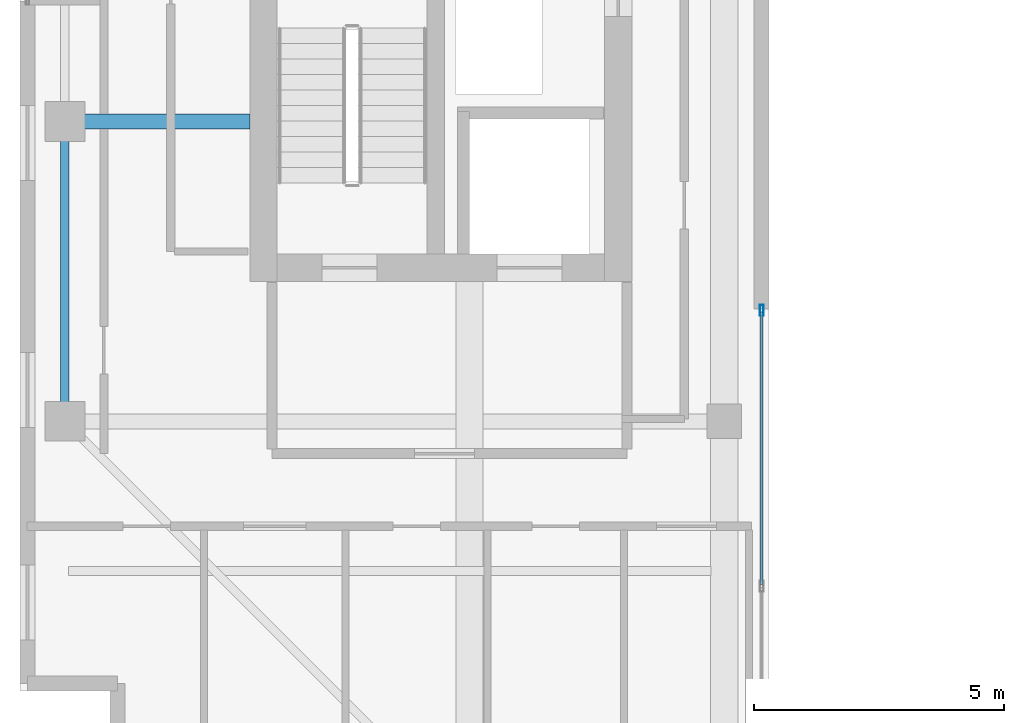
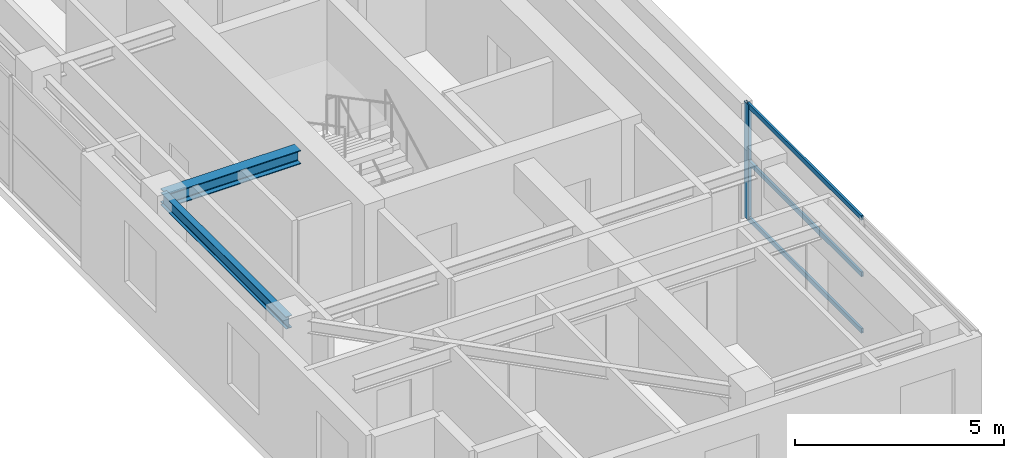
# One storey, part 3 of 22: 4 members, 2 beams, 1 element without a shape of its own.
"""IFC4 building model written with IfcOpenShell, lengths in metres."""

from ifc_helpers import new_model, si_unit, direction, frame, origin, origin_2d, place, context, subcontext, project, spatial, hollow_rectangle, i_section, extrude, source, transform, mapped, material, layer, layer_set, material_profile, profile_set, type_object, element, aggregate, save


model = new_model("IFC4")

# Units and contexts
model_context = context("Model", 3, precision=1e-05, world=origin(), true_north=direction((0.0, 1.0)))
body_context = subcontext(model_context, "Body", "Model", "MODEL_VIEW")
ifc_project = project(units=[si_unit("LENGTHUNIT", "METRE"), si_unit("AREAUNIT", "SQUARE_METRE"), si_unit("VOLUMEUNIT", "CUBIC_METRE"), si_unit("PLANEANGLEUNIT", "RADIAN"), si_unit("MASSUNIT", "GRAM", prefix="KILO")], contexts=[model_context])

# Site, building, storey
site_placement = place(None, origin())
site = spatial("IfcSite", under=ifc_project, at=site_placement, CompositionType="ELEMENT")
building_placement = place(site_placement, origin())
building = spatial("IfcBuilding", under=site, at=building_placement, Name="Khoralis Quay Care Tower", CompositionType="ELEMENT")
storey_placement = place(building_placement, frame((0.0, 0.0, 260.10009765625)))
storey = spatial("IfcBuildingStorey", under=building, at=storey_placement, Name="L68", CompositionType="ELEMENT", Elevation=260.10009765625)

# Beams
ifc_material_1 = material(Name="Steel S355", Category="steel")
ifc_material_profile_1 = material_profile(ifc_material_1, i_section(OverallWidth=0.169921875, OverallDepth=0.360107421875, WebThickness=0.008056640625, FlangeThickness=0.0126953125, FilletRadius=0.01806640625, at=origin_2d()), Name="Steel S355")
ifc_profile_set_1 = profile_set([ifc_material_profile_1], Name="Steel S355")
beam_type_1 = type_object("IfcBeamType", Name="BM-IPE360", PredefinedType="SPANDREL", material=ifc_profile_set_1)
shared_shape_1 = source(origin(), body_context, "Body", "SweptSolid", [
    extrude(i_section(OverallWidth=0.169921875, OverallDepth=0.360107421875, WebThickness=0.008056640625, FlangeThickness=0.0126953125, FilletRadius=0.01806640625, at=origin_2d()), origin(), (0.0, 0.0, 1.0), 6.0),
])
beam_1_placement = place(storey_placement, frame((3.89990234375, 12.0, 3.179931640625), z_axis=(0.0, 1.0, 0.0), x_axis=(-1.0, 0.0, 0.0)))
element("IfcBeam", 1, at=beam_1_placement, inside=storey, type_object=beam_type_1, Name="BM-TSP-L68-05", PredefinedType="SPANDREL", context=body_context, shape_type="MappedRepresentation", body=[
    mapped(shared_shape_1, transform((0.0, 0.0, 0.0), scale=1.0)),
])
ifc_material_profile_2 = material_profile(ifc_material_1, i_section(OverallWidth=0.300048828125, OverallDepth=0.39990234375, WebThickness=0.013427734375, FlangeThickness=0.02392578125, FilletRadius=0.027099609375, at=origin_2d()), Name="Steel S355")
ifc_profile_set_2 = profile_set([ifc_material_profile_2], Name="Steel S355")
beam_type_2 = type_object("IfcBeamType", Name="BM-HEB400", PredefinedType="BEAM", material=ifc_profile_set_2)
shared_shape_2 = source(origin(), body_context, "Body", "SweptSolid", [
    extrude(i_section(OverallWidth=0.300048828125, OverallDepth=0.39990234375, WebThickness=0.013427734375, FlangeThickness=0.02392578125, FilletRadius=0.027099609375, at=origin_2d()), origin(), (0.0, 0.0, 1.0), 3.7021484375),
])
beam_2_placement = place(storey_placement, frame((3.89990234375, 18.0, 3.159912109375), z_axis=(1.0, 0.0, 0.0), x_axis=(0.0, 1.0, 0.0)))
element("IfcBeam", 2, at=beam_2_placement, inside=storey, type_object=beam_type_2, Name="BM-TGXW-L68-180", PredefinedType="BEAM", context=body_context, shape_type="MappedRepresentation", body=[
    mapped(shared_shape_2, transform((0.0, 0.0, 0.0), scale=1.0)),
])

# Curtain wall, members
ifc_material_2 = material(Name="Pale anodised aluminium", Category="aluminium")
ifc_layer = layer(ifc_material_2, 0.18994140625)
ifc_layer_set = layer_set([ifc_layer], Name="Pale anodised aluminium")
curtain_wall_type = type_object("IfcCurtainWallType", Name="CW-SYS-PORTAL", PredefinedType="NOTDEFINED", material=ifc_layer_set)
curtain_wall_placement = place(storey_placement, origin())
curtain_wall = element("IfcCurtainWall", 3, at=curtain_wall_placement, inside=storey, type_object=curtain_wall_type, Name="L68 Unitised Curtain Wall CW-VP-L68-P1-S", PredefinedType="NOTDEFINED")
ifc_material_profile_3 = material_profile(ifc_material_2, hollow_rectangle(XDim=0.06005859375, YDim=0.139892578125, WallThickness=0.00390625, at=origin_2d()), Name="Pale anodised aluminium")
ifc_profile_set_3 = profile_set([ifc_material_profile_3], Name="Pale anodised aluminium")
member_type_1 = type_object("IfcMemberType", Name="CW-TRN-140", PredefinedType="USERDEFINED", material=ifc_profile_set_3)
shared_shape_3 = source(origin(), body_context, "Body", "SweptSolid", [
    extrude(hollow_rectangle(XDim=0.06005859375, YDim=0.139892578125, WallThickness=0.00390625, at=origin_2d()), origin(), (0.0, 0.0, 1.0), 5.4599609375),
])
member_1_placement = place(storey_placement, frame((17.85009765625, 8.72998046875, 0.02978515625), z_axis=(0.0, 1.0, 0.0), x_axis=(-1.0, 0.0, 0.0)))
member_1 = element("IfcMember", 4, at=member_1_placement, type_object=member_type_1, Name="CW4 transom 2.1", ObjectType="TRANSOM", PredefinedType="USERDEFINED", context=body_context, shape_type="MappedRepresentation", body=[
    mapped(shared_shape_3, transform((0.0, 0.0, 0.0), scale=1.0)),
])
member_2_placement = place(storey_placement, frame((17.85009765625, 8.72998046875, 1.679931640625), z_axis=(0.0, 1.0, 0.0), x_axis=(-1.0, 0.0, 0.0)))
member_2 = element("IfcMember", 5, at=member_2_placement, type_object=member_type_1, Name="CW4 transom 2.2", ObjectType="TRANSOM", PredefinedType="USERDEFINED", context=body_context, shape_type="MappedRepresentation", body=[
    mapped(shared_shape_3, transform((0.0, 0.0, 0.0), scale=1.0)),
])
member_3_placement = place(storey_placement, frame((17.85009765625, 8.72998046875, 3.329833984375), z_axis=(0.0, 1.0, 0.0), x_axis=(-1.0, 0.0, 0.0)))
member_3 = element("IfcMember", 6, at=member_3_placement, type_object=member_type_1, Name="CW4 transom 2.3", ObjectType="TRANSOM", PredefinedType="USERDEFINED", context=body_context, shape_type="MappedRepresentation", body=[
    mapped(shared_shape_3, transform((0.0, 0.0, 0.0), scale=1.0)),
])
ifc_material_profile_4 = material_profile(ifc_material_2, hollow_rectangle(XDim=0.074951171875, YDim=0.219970703125, WallThickness=0.00390625, at=origin_2d()), Name="Pale anodised aluminium")
ifc_profile_set_4 = profile_set([ifc_material_profile_4], Name="Pale anodised aluminium")
member_type_2 = type_object("IfcMemberType", Name="CW-MUL-220", PredefinedType="MULLION", material=ifc_profile_set_4)
shared_shape_4 = source(origin(), body_context, "Body", "SweptSolid", [
    extrude(hollow_rectangle(XDim=0.074951171875, YDim=0.219970703125, WallThickness=0.00390625, at=origin_2d()), origin(), (0.0, 0.0, 1.0), 3.35986328125),
])
member_4_placement = place(storey_placement, frame((17.85009765625, 14.219970703125, 0.0), z_axis=(0.0, 0.0, 1.0), x_axis=(-1.0, 0.0, 0.0)))
member_4 = element("IfcMember", 7, at=member_4_placement, type_object=member_type_2, Name="CW4 mullion 3", PredefinedType="MULLION", context=body_context, shape_type="MappedRepresentation", body=[
    mapped(shared_shape_4, transform((0.0, 0.0, 0.0), scale=1.0)),
])
aggregate(curtain_wall, [member_4, member_1, member_2, member_3])

save(model, "model.ifc")
